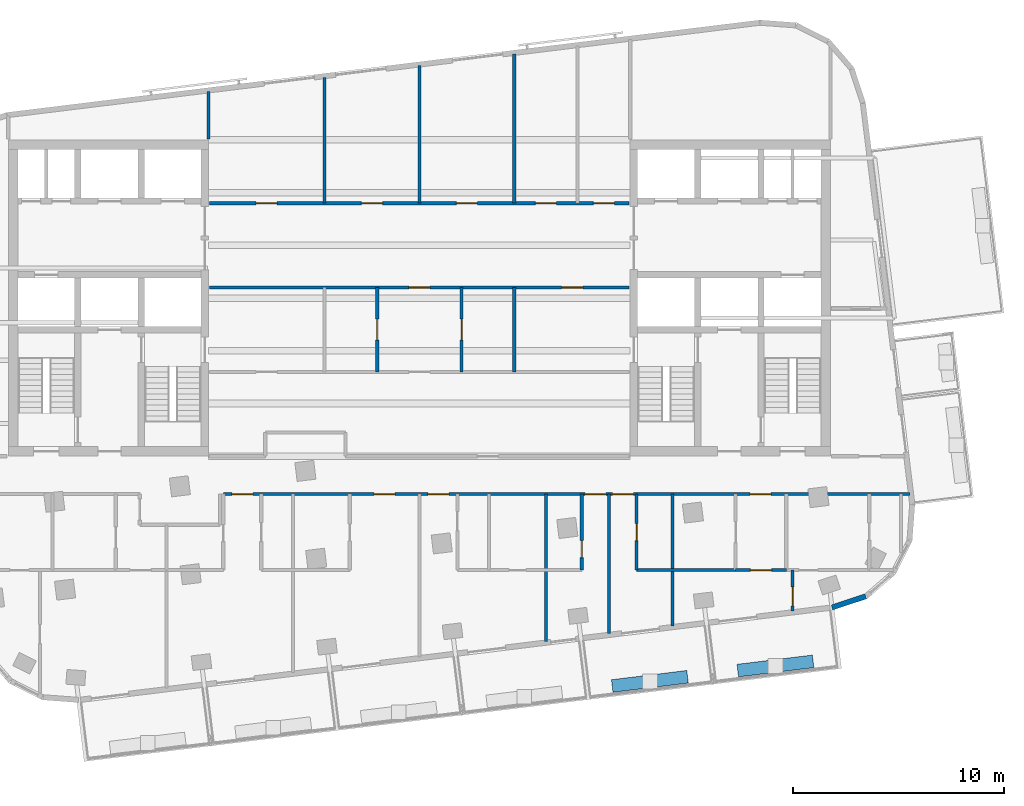
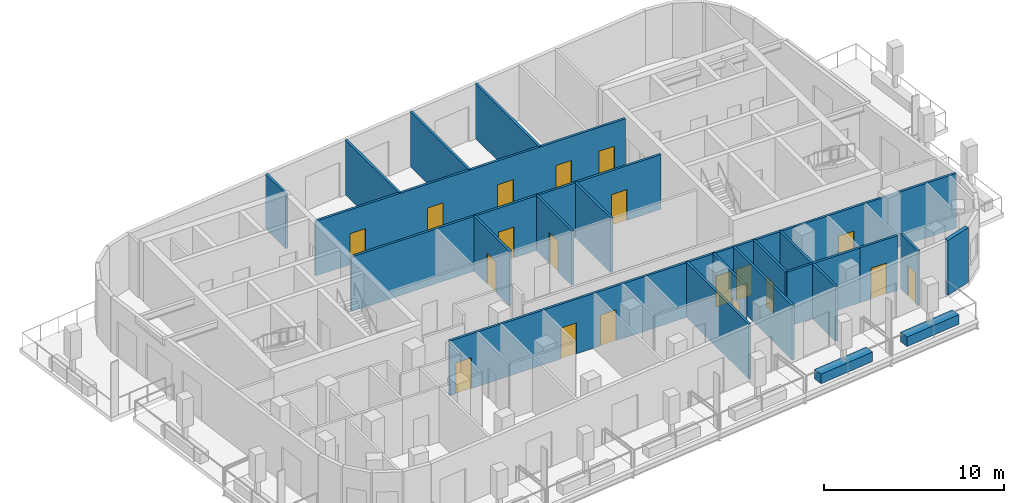
# One storey, part 5 of 11: 21 walls, 19 doors, 19 openings.
"""IFC4 building model written with IfcOpenShell, lengths in metres."""

from ifc_helpers import new_model, si_unit, direction, frame, frame_2d, origin, place, context, subcontext, project, spatial, rectangle, extrude, material, layer, layer_set, type_object, element, fill, save


model = new_model("IFC4")

# Units and contexts
model_context = context("Model", 3, precision=1e-05, world=origin(), true_north=direction((0.0, 1.0)))
body_context = subcontext(model_context, "Body", "Model", "MODEL_VIEW")
ifc_project = project(units=[si_unit("LENGTHUNIT", "METRE"), si_unit("AREAUNIT", "SQUARE_METRE"), si_unit("VOLUMEUNIT", "CUBIC_METRE"), si_unit("PLANEANGLEUNIT", "RADIAN"), si_unit("MASSUNIT", "GRAM", prefix="KILO")], contexts=[model_context])

# Site, building, storey
site_placement = place(None, origin())
site = spatial("IfcSite", under=ifc_project, at=site_placement, CompositionType="ELEMENT")
building_placement = place(site_placement, origin())
building = spatial("IfcBuilding", under=site, at=building_placement, Name="Torana Hotel and Residences", CompositionType="ELEMENT")
storey_placement = place(building_placement, frame((0.0, 0.0, 330.60009765625)))
storey = spatial("IfcBuildingStorey", under=building, at=storey_placement, Name="L87", CompositionType="ELEMENT", Elevation=330.60009765625)

# Wall
ifc_material_1 = material(Name="Black aluminium composite panel", Category="aluminium")
ifc_layer_1 = layer(ifc_material_1, 0.00390625, Name="Cladding", Category="cladding")
ifc_material_2 = material(Name="Ventilated air cavity")
ifc_layer_2 = layer(ifc_material_2, 0.0400390625, Name="Ventilated cavity", Category="cavity")
ifc_material_3 = material(Name="Mineral wool insulation")
ifc_layer_3 = layer(ifc_material_3, 0.090087890625, Name="Insulation", Category="insulation")
ifc_material_4 = material(Name="Steel S280GD", Category="steel")
ifc_layer_4 = layer(ifc_material_4, 0.092041015625, Name="Steel stud frame", Category="structure")
ifc_material_5 = material(Name="Fire rated plasterboard")
ifc_layer_5 = layer(ifc_material_5, 0.011962890625, Name="Inner board", Category="finish")
ifc_layer_6 = layer(ifc_material_5, 0.011962890625, Name="Second board", Category="finish")
ifc_layer_set_1 = layer_set([ifc_layer_1, ifc_layer_2, ifc_layer_3, ifc_layer_4, ifc_layer_5, ifc_layer_6], Name="EW1 EXTERNAL WALL BLACK METAL CLAD 250")
wall_type_1 = type_object("IfcWallType", Name="EW1 EXTERNAL WALL BLACK METAL CLAD 250", PredefinedType="SOLIDWALL", material=ifc_layer_set_1)
wall_1_placement = place(storey_placement, frame((19.568359375, -22.1748046875, 0.0), z_axis=(0.0, 0.0, 1.0), x_axis=(0.949694735798, 0.313177120489, 0.0)))
element("IfcWall", 1, at=wall_1_placement, inside=storey, type_object=wall_type_1, Name="External wall L87 e0.15", PredefinedType="SOLIDWALL", context=body_context, shape_type="SweptSolid", body=[
    extrude(rectangle(XDim=1.681396484375, YDim=0.25, at=frame_2d((0.8408203125, 0.0))), origin(), (0.0, 0.0, 1.0), 3.719970703125),
])

# Wall, opening, door
ifc_material_6 = material(Name="Gypsum plaster")
ifc_layer_7 = layer(ifc_material_6, 0.014892578125, Name="Plaster", Category="finish")
ifc_material_7 = material(Name="Concrete blockwork", Category="masonry")
ifc_layer_8 = layer(ifc_material_7, 0.1201171875, Name="Blockwork", Category="structure")
ifc_layer_9 = layer(ifc_material_6, 0.014892578125, Name="Plaster", Category="finish")
ifc_layer_set_2 = layer_set([ifc_layer_7, ifc_layer_8, ifc_layer_9], Name="FIRE PARTITION 150 BLOCKWORK")
wall_type_2 = type_object("IfcWallType", Name="FIRE PARTITION 150 BLOCKWORK", PredefinedType="PARTITIONING", material=ifc_layer_set_2)
wall_2_placement = place(storey_placement, frame((2.0, -11.0, 0.0), z_axis=(0.0, 0.0, 1.0), x_axis=(0.0, 1.0, 0.0)))
wall_2 = element("IfcWall", 2, at=wall_2_placement, inside=storey, type_object=wall_type_2, Name="Partition L87", PredefinedType="PARTITIONING", context=body_context, shape_type="SweptSolid", body=[
    extrude(rectangle(XDim=4.0, YDim=0.14990234375, at=frame_2d((2.0, 0.0))), origin(), (0.0, 0.0, 1.0), 3.719970703125),
])
opening_1_placement = place(wall_2_placement, frame((1.5, 0.0, 0.0)))
opening_1 = element("IfcOpeningElement", 3, at=opening_1_placement, cuts=wall_2, Name="Opening L87-39", PredefinedType="OPENING", context=body_context, shape_type="SweptSolid", body=[
    extrude(rectangle(XDim=1.0, YDim=2.10009765625, at=frame_2d((0.5, 1.050048828125))), frame((0.0, 0.0849609375, 0.0), z_axis=(0.0, -1.0, 0.0), x_axis=(1.0, 0.0, 0.0)), (0.0, 0.0, 1.0), 0.169921875),
])
ifc_material_8 = material(Name="Steel S235", Category="steel")
door_type_1 = type_object("IfcDoorType", Name="ENTRY FIRE DOOR D6 1000x2100", OperationType="SINGLE_SWING_LEFT", PredefinedType="DOOR", material=ifc_material_8)
door_1_placement = place(opening_1_placement, frame((0.5, 0.0, 0.0), z_axis=(0.0, 0.0, 1.0), x_axis=(-1.0, 0.0, 0.0)))
door_1 = element("IfcDoor", 4, at=door_1_placement, inside=storey, type_object=door_type_1, Name="Door L87", OperationType="SINGLE_SWING_LEFT", OverallHeight=2.10009765625, OverallWidth=1.0, PredefinedType="DOOR", context=body_context, shape_type="SweptSolid", body=[
    extrude(rectangle(XDim=1.0, YDim=2.10009765625, at=frame_2d((0.0, 1.050048828125))), frame((0.0, -0.02490234375, 0.0), z_axis=(0.0, 1.0, 0.0), x_axis=(-1.0, 0.0, 0.0)), (0.0, 0.0, 1.0), 0.050048828125),
])
fill(opening_1, door_1)

wall_3_placement = place(storey_placement, frame((-2.0, -11.0, 0.0), z_axis=(0.0, 0.0, 1.0), x_axis=(0.0, 1.0, 0.0)))
wall_3 = element("IfcWall", 5, at=wall_3_placement, inside=storey, type_object=wall_type_2, Name="Partition L87", PredefinedType="PARTITIONING", context=body_context, shape_type="SweptSolid", body=[
    extrude(rectangle(XDim=4.0, YDim=0.14990234375, at=frame_2d((2.0, 0.0))), origin(), (0.0, 0.0, 1.0), 3.719970703125),
])
opening_2_placement = place(wall_3_placement, frame((1.5, 0.0, 0.0)))
opening_2 = element("IfcOpeningElement", 6, at=opening_2_placement, cuts=wall_3, Name="Opening L87-38", PredefinedType="OPENING", context=body_context, shape_type="SweptSolid", body=[
    extrude(rectangle(XDim=1.0, YDim=2.10009765625, at=frame_2d((0.5, 1.050048828125))), frame((0.0, 0.0849609375, 0.0), z_axis=(0.0, -1.0, 0.0), x_axis=(1.0, 0.0, 0.0)), (0.0, 0.0, 1.0), 0.169921875),
])
door_2_placement = place(opening_2_placement, origin())
door_2 = element("IfcDoor", 7, at=door_2_placement, inside=storey, type_object=door_type_1, Name="Door L87", OperationType="SINGLE_SWING_RIGHT", OverallHeight=2.10009765625, OverallWidth=1.0, PredefinedType="DOOR", context=body_context, shape_type="SweptSolid", body=[
    extrude(rectangle(XDim=1.0, YDim=2.10009765625, at=frame_2d((0.5, 1.050048828125))), frame((0.0, 0.02490234375, 0.0), z_axis=(0.0, -1.0, 0.0), x_axis=(1.0, 0.0, 0.0)), (0.0, 0.0, 1.0), 0.050048828125),
])
fill(opening_2, door_2)

wall_4_placement = place(storey_placement, frame((15.0, -20.39990234375, 0.0), z_axis=(0.0, 0.0, 1.0), x_axis=(1.0, 0.0, 0.0)))
wall_4 = element("IfcWall", 8, at=wall_4_placement, inside=storey, type_object=wall_type_2, Name="Partition L87", PredefinedType="PARTITIONING", context=body_context, shape_type="SweptSolid", body=[
    extrude(rectangle(XDim=2.39990234375, YDim=0.14990234375, at=frame_2d((1.199951171875, 0.0))), origin(), (0.0, 0.0, 1.0), 3.719970703125),
])
opening_3_placement = place(wall_4_placement, frame((0.699951171875, 0.0, 0.0)))
opening_3 = element("IfcOpeningElement", 9, at=opening_3_placement, cuts=wall_4, Name="Opening L87-53", PredefinedType="OPENING", context=body_context, shape_type="SweptSolid", body=[
    extrude(rectangle(XDim=1.0, YDim=2.10009765625, at=frame_2d((0.5, 1.050048828125))), frame((0.0, 0.0849609375, 0.0), z_axis=(0.0, -1.0, 0.0), x_axis=(1.0, 0.0, 0.0)), (0.0, 0.0, 1.0), 0.169921875),
])
door_3_placement = place(opening_3_placement, frame((0.5, 0.0, 0.0), z_axis=(0.0, 0.0, 1.0), x_axis=(-1.0, 0.0, 0.0)))
door_3 = element("IfcDoor", 10, at=door_3_placement, inside=storey, type_object=door_type_1, Name="Door L87", OperationType="SINGLE_SWING_RIGHT", OverallHeight=2.10009765625, OverallWidth=1.0, PredefinedType="DOOR", context=body_context, shape_type="SweptSolid", body=[
    extrude(rectangle(XDim=1.0, YDim=2.10009765625, at=frame_2d((0.0, 1.050048828125))), frame((0.0, -0.02490234375, 0.0), z_axis=(0.0, 1.0, 0.0), x_axis=(-1.0, 0.0, 0.0)), (0.0, 0.0, 1.0), 0.050048828125),
])
fill(opening_3, door_3)

# Wall, openings, doors
wall_5_placement = place(storey_placement, frame((-9.300048828125, -16.800048828125, 0.0), z_axis=(0.0, 0.0, 1.0), x_axis=(1.0, 0.0, 0.0)))
wall_5 = element("IfcWall", 11, at=wall_5_placement, inside=storey, type_object=wall_type_2, Name="Partition L87", PredefinedType="PARTITIONING", context=body_context, shape_type="SweptSolid", body=[
    extrude(rectangle(XDim=32.56103515625, YDim=0.14990234375, at=frame_2d((16.280517578125, 0.0))), origin(), (0.0, 0.0, 1.0), 3.719970703125),
])
opening_4_placement = place(wall_5_placement, frame((0.39990234375, 0.0, 0.0)))
opening_4 = element("IfcOpeningElement", 12, at=opening_4_placement, cuts=wall_5, Name="Opening L87-20", PredefinedType="OPENING", context=body_context, shape_type="SweptSolid", body=[
    extrude(rectangle(XDim=1.0, YDim=2.10009765625, at=frame_2d((0.5, 1.050048828125))), frame((0.0, 0.0849609375, 0.0), z_axis=(0.0, -1.0, 0.0), x_axis=(1.0, 0.0, 0.0)), (0.0, 0.0, 1.0), 0.169921875),
])
opening_5_placement = place(wall_5_placement, frame((7.14990234375, 0.0, 0.0)))
opening_5 = element("IfcOpeningElement", 13, at=opening_5_placement, cuts=wall_5, Name="Opening L87-21", PredefinedType="OPENING", context=body_context, shape_type="SweptSolid", body=[
    extrude(rectangle(XDim=1.0, YDim=2.10009765625, at=frame_2d((0.5, 1.050048828125))), frame((0.0, 0.0849609375, 0.0), z_axis=(0.0, -1.0, 0.0), x_axis=(1.0, 0.0, 0.0)), (0.0, 0.0, 1.0), 0.169921875),
])
opening_6_placement = place(wall_5_placement, frame((9.699951171875, 0.0, 0.0)))
opening_6 = element("IfcOpeningElement", 14, at=opening_6_placement, cuts=wall_5, Name="Opening L87-22", PredefinedType="OPENING", context=body_context, shape_type="SweptSolid", body=[
    extrude(rectangle(XDim=1.0, YDim=2.10009765625, at=frame_2d((0.5, 1.050048828125))), frame((0.0, 0.0849609375, 0.0), z_axis=(0.0, -1.0, 0.0), x_axis=(1.0, 0.0, 0.0)), (0.0, 0.0, 1.0), 0.169921875),
])
opening_7_placement = place(wall_5_placement, frame((17.14892578125, 0.0, 0.0)))
opening_7 = element("IfcOpeningElement", 15, at=opening_7_placement, cuts=wall_5, Name="Opening L87-23", PredefinedType="OPENING", context=body_context, shape_type="SweptSolid", body=[
    extrude(rectangle(XDim=1.0, YDim=2.10009765625, at=frame_2d((0.5, 1.050048828125))), frame((0.0, 0.0849609375, 0.0), z_axis=(0.0, -1.0, 0.0), x_axis=(1.0, 0.0, 0.0)), (0.0, 0.0, 1.0), 0.169921875),
])
opening_8_placement = place(wall_5_placement, frame((18.449951171875, 0.0, 0.0)))
opening_8 = element("IfcOpeningElement", 16, at=opening_8_placement, cuts=wall_5, Name="Opening L87-24", PredefinedType="OPENING", context=body_context, shape_type="SweptSolid", body=[
    extrude(rectangle(XDim=1.0, YDim=2.10009765625, at=frame_2d((0.5, 1.050048828125))), frame((0.0, 0.0849609375, 0.0), z_axis=(0.0, -1.0, 0.0), x_axis=(1.0, 0.0, 0.0)), (0.0, 0.0, 1.0), 0.169921875),
])
opening_9_placement = place(wall_5_placement, frame((24.97998046875, 0.0, 0.0)))
opening_9 = element("IfcOpeningElement", 17, at=opening_9_placement, cuts=wall_5, Name="Opening L87-26", PredefinedType="OPENING", context=body_context, shape_type="SweptSolid", body=[
    extrude(rectangle(XDim=1.0, YDim=2.10009765625, at=frame_2d((0.5, 1.050048828125))), frame((0.0, 0.0849609375, 0.0), z_axis=(0.0, -1.0, 0.0), x_axis=(1.0, 0.0, 0.0)), (0.0, 0.0, 1.0), 0.169921875),
])
door_4_placement = place(opening_4_placement, frame((0.5, 0.0, 0.0), z_axis=(0.0, 0.0, 1.0), x_axis=(-1.0, 0.0, 0.0)))
door_4 = element("IfcDoor", 18, at=door_4_placement, inside=storey, type_object=door_type_1, Name="Door L87", OperationType="SINGLE_SWING_LEFT", OverallHeight=2.10009765625, OverallWidth=1.0, PredefinedType="DOOR", context=body_context, shape_type="SweptSolid", body=[
    extrude(rectangle(XDim=1.0, YDim=2.10009765625, at=frame_2d((0.0, 1.050048828125))), frame((0.0, -0.02490234375, 0.0), z_axis=(0.0, 1.0, 0.0), x_axis=(-1.0, 0.0, 0.0)), (0.0, 0.0, 1.0), 0.050048828125),
])
fill(opening_4, door_4)
door_5_placement = place(opening_5_placement, frame((0.5, 0.0, 0.0), z_axis=(0.0, 0.0, 1.0), x_axis=(-1.0, 0.0, 0.0)))
door_5 = element("IfcDoor", 19, at=door_5_placement, inside=storey, type_object=door_type_1, Name="Door L87", OperationType="SINGLE_SWING_LEFT", OverallHeight=2.10009765625, OverallWidth=1.0, PredefinedType="DOOR", context=body_context, shape_type="SweptSolid", body=[
    extrude(rectangle(XDim=1.0, YDim=2.10009765625, at=frame_2d((0.0, 1.050048828125))), frame((0.0, -0.02490234375, 0.0), z_axis=(0.0, 1.0, 0.0), x_axis=(-1.0, 0.0, 0.0)), (0.0, 0.0, 1.0), 0.050048828125),
])
fill(opening_5, door_5)
door_6_placement = place(opening_6_placement, frame((0.5, 0.0, 0.0), z_axis=(0.0, 0.0, 1.0), x_axis=(-1.0, 0.0, 0.0)))
door_6 = element("IfcDoor", 20, at=door_6_placement, inside=storey, type_object=door_type_1, Name="Door L87", OperationType="SINGLE_SWING_LEFT", OverallHeight=2.10009765625, OverallWidth=1.0, PredefinedType="DOOR", context=body_context, shape_type="SweptSolid", body=[
    extrude(rectangle(XDim=1.0, YDim=2.10009765625, at=frame_2d((0.0, 1.050048828125))), frame((0.0, -0.02490234375, 0.0), z_axis=(0.0, 1.0, 0.0), x_axis=(-1.0, 0.0, 0.0)), (0.0, 0.0, 1.0), 0.050048828125),
])
fill(opening_6, door_6)
door_7_placement = place(opening_7_placement, frame((0.5, 0.0, 0.0), z_axis=(0.0, 0.0, 1.0), x_axis=(-1.0, 0.0, 0.0)))
door_7 = element("IfcDoor", 21, at=door_7_placement, inside=storey, type_object=door_type_1, Name="Door L87", OperationType="SINGLE_SWING_LEFT", OverallHeight=2.10009765625, OverallWidth=1.0, PredefinedType="DOOR", context=body_context, shape_type="SweptSolid", body=[
    extrude(rectangle(XDim=1.0, YDim=2.10009765625, at=frame_2d((0.0, 1.050048828125))), frame((0.0, -0.02490234375, 0.0), z_axis=(0.0, 1.0, 0.0), x_axis=(-1.0, 0.0, 0.0)), (0.0, 0.0, 1.0), 0.050048828125),
])
fill(opening_7, door_7)
door_8_placement = place(opening_8_placement, frame((0.5, 0.0, 0.0), z_axis=(0.0, 0.0, 1.0), x_axis=(-1.0, 0.0, 0.0)))
door_8 = element("IfcDoor", 22, at=door_8_placement, inside=storey, type_object=door_type_1, Name="Door L87", OperationType="SINGLE_SWING_LEFT", OverallHeight=2.10009765625, OverallWidth=1.0, PredefinedType="DOOR", context=body_context, shape_type="SweptSolid", body=[
    extrude(rectangle(XDim=1.0, YDim=2.10009765625, at=frame_2d((0.0, 1.050048828125))), frame((0.0, -0.02490234375, 0.0), z_axis=(0.0, 1.0, 0.0), x_axis=(-1.0, 0.0, 0.0)), (0.0, 0.0, 1.0), 0.050048828125),
])
fill(opening_8, door_8)
door_9_placement = place(opening_9_placement, origin())
door_9 = element("IfcDoor", 23, at=door_9_placement, inside=storey, type_object=door_type_1, Name="Door L87", OperationType="SINGLE_SWING_RIGHT", OverallHeight=2.10009765625, OverallWidth=1.0, PredefinedType="DOOR", context=body_context, shape_type="SweptSolid", body=[
    extrude(rectangle(XDim=1.0, YDim=2.10009765625, at=frame_2d((0.5, 1.050048828125))), frame((0.0, 0.02490234375, 0.0), z_axis=(0.0, -1.0, 0.0), x_axis=(1.0, 0.0, 0.0)), (0.0, 0.0, 1.0), 0.050048828125),
])
fill(opening_9, door_9)

wall_6_placement = place(storey_placement, frame((-9.949951171875, -7.0, 0.0), z_axis=(0.0, 0.0, 1.0), x_axis=(1.0, 0.0, 0.0)))
wall_6 = element("IfcWall", 24, at=wall_6_placement, inside=storey, type_object=wall_type_2, Name="Partition L87", PredefinedType="PARTITIONING", context=body_context, shape_type="SweptSolid", body=[
    extrude(rectangle(XDim=19.89990234375, YDim=0.14990234375, at=frame_2d((9.949951171875, 0.0))), origin(), (0.0, 0.0, 1.0), 3.719970703125),
])
opening_10_placement = place(wall_6_placement, frame((9.449951171875, 0.0, 0.0)))
opening_10 = element("IfcOpeningElement", 25, at=opening_10_placement, cuts=wall_6, Name="Opening L87-31", PredefinedType="OPENING", context=body_context, shape_type="SweptSolid", body=[
    extrude(rectangle(XDim=1.0, YDim=2.10009765625, at=frame_2d((0.5, 1.050048828125))), frame((0.0, 0.0849609375, 0.0), z_axis=(0.0, -1.0, 0.0), x_axis=(1.0, 0.0, 0.0)), (0.0, 0.0, 1.0), 0.169921875),
])
opening_11_placement = place(wall_6_placement, frame((16.699951171875, 0.0, 0.0)))
opening_11 = element("IfcOpeningElement", 26, at=opening_11_placement, cuts=wall_6, Name="Opening L87-32", PredefinedType="OPENING", context=body_context, shape_type="SweptSolid", body=[
    extrude(rectangle(XDim=1.0, YDim=2.10009765625, at=frame_2d((0.5, 1.050048828125))), frame((0.0, 0.0849609375, 0.0), z_axis=(0.0, -1.0, 0.0), x_axis=(1.0, 0.0, 0.0)), (0.0, 0.0, 1.0), 0.169921875),
])
door_10_placement = place(opening_10_placement, origin())
door_10 = element("IfcDoor", 27, at=door_10_placement, inside=storey, type_object=door_type_1, Name="Door L87", OperationType="SINGLE_SWING_RIGHT", OverallHeight=2.10009765625, OverallWidth=1.0, PredefinedType="DOOR", context=body_context, shape_type="SweptSolid", body=[
    extrude(rectangle(XDim=1.0, YDim=2.10009765625, at=frame_2d((0.5, 1.050048828125))), frame((0.0, 0.02490234375, 0.0), z_axis=(0.0, -1.0, 0.0), x_axis=(1.0, 0.0, 0.0)), (0.0, 0.0, 1.0), 0.050048828125),
])
fill(opening_10, door_10)
door_11_placement = place(opening_11_placement, frame((0.5, 0.0, 0.0), z_axis=(0.0, 0.0, 1.0), x_axis=(-1.0, 0.0, 0.0)))
door_11 = element("IfcDoor", 28, at=door_11_placement, inside=storey, type_object=door_type_1, Name="Door L87", OperationType="SINGLE_SWING_LEFT", OverallHeight=2.10009765625, OverallWidth=1.0, PredefinedType="DOOR", context=body_context, shape_type="SweptSolid", body=[
    extrude(rectangle(XDim=1.0, YDim=2.10009765625, at=frame_2d((0.0, 1.050048828125))), frame((0.0, -0.02490234375, 0.0), z_axis=(0.0, 1.0, 0.0), x_axis=(-1.0, 0.0, 0.0)), (0.0, 0.0, 1.0), 0.050048828125),
])
fill(opening_11, door_11)

wall_7_placement = place(storey_placement, frame((-9.949951171875, -3.0, 0.0), z_axis=(0.0, 0.0, 1.0), x_axis=(1.0, 0.0, 0.0)))
wall_7 = element("IfcWall", 29, at=wall_7_placement, inside=storey, type_object=wall_type_2, Name="Partition L87", PredefinedType="PARTITIONING", context=body_context, shape_type="SweptSolid", body=[
    extrude(rectangle(XDim=19.89990234375, YDim=0.14990234375, at=frame_2d((9.949951171875, 0.0))), origin(), (0.0, 0.0, 1.0), 3.719970703125),
])
opening_12_placement = place(wall_7_placement, frame((2.199951171875, 0.0, 0.0)))
opening_12 = element("IfcOpeningElement", 30, at=opening_12_placement, cuts=wall_7, Name="Opening L87-33", PredefinedType="OPENING", context=body_context, shape_type="SweptSolid", body=[
    extrude(rectangle(XDim=1.0, YDim=2.10009765625, at=frame_2d((0.5, 1.050048828125))), frame((0.0, 0.0849609375, 0.0), z_axis=(0.0, -1.0, 0.0), x_axis=(1.0, 0.0, 0.0)), (0.0, 0.0, 1.0), 0.169921875),
])
opening_13_placement = place(wall_7_placement, frame((7.199951171875, 0.0, 0.0)))
opening_13 = element("IfcOpeningElement", 31, at=opening_13_placement, cuts=wall_7, Name="Opening L87-34", PredefinedType="OPENING", context=body_context, shape_type="SweptSolid", body=[
    extrude(rectangle(XDim=1.0, YDim=2.10009765625, at=frame_2d((0.5, 1.050048828125))), frame((0.0, 0.0849609375, 0.0), z_axis=(0.0, -1.0, 0.0), x_axis=(1.0, 0.0, 0.0)), (0.0, 0.0, 1.0), 0.169921875),
])
opening_14_placement = place(wall_7_placement, frame((11.699951171875, 0.0, 0.0)))
opening_14 = element("IfcOpeningElement", 32, at=opening_14_placement, cuts=wall_7, Name="Opening L87-35", PredefinedType="OPENING", context=body_context, shape_type="SweptSolid", body=[
    extrude(rectangle(XDim=1.0, YDim=2.10009765625, at=frame_2d((0.5, 1.050048828125))), frame((0.0, 0.0849609375, 0.0), z_axis=(0.0, -1.0, 0.0), x_axis=(1.0, 0.0, 0.0)), (0.0, 0.0, 1.0), 0.169921875),
])
opening_15_placement = place(wall_7_placement, frame((15.449951171875, 0.0, 0.0)))
opening_15 = element("IfcOpeningElement", 33, at=opening_15_placement, cuts=wall_7, Name="Opening L87-36", PredefinedType="OPENING", context=body_context, shape_type="SweptSolid", body=[
    extrude(rectangle(XDim=1.0, YDim=2.10009765625, at=frame_2d((0.5, 1.050048828125))), frame((0.0, 0.0849609375, 0.0), z_axis=(0.0, -1.0, 0.0), x_axis=(1.0, 0.0, 0.0)), (0.0, 0.0, 1.0), 0.169921875),
])
opening_16_placement = place(wall_7_placement, frame((18.199951171875, 0.0, 0.0)))
opening_16 = element("IfcOpeningElement", 34, at=opening_16_placement, cuts=wall_7, Name="Opening L87-37", PredefinedType="OPENING", context=body_context, shape_type="SweptSolid", body=[
    extrude(rectangle(XDim=1.0, YDim=2.10009765625, at=frame_2d((0.5, 1.050048828125))), frame((0.0, 0.0849609375, 0.0), z_axis=(0.0, -1.0, 0.0), x_axis=(1.0, 0.0, 0.0)), (0.0, 0.0, 1.0), 0.169921875),
])
door_12_placement = place(opening_12_placement, origin())
door_12 = element("IfcDoor", 35, at=door_12_placement, inside=storey, type_object=door_type_1, Name="Door L87", OperationType="SINGLE_SWING_RIGHT", OverallHeight=2.10009765625, OverallWidth=1.0, PredefinedType="DOOR", context=body_context, shape_type="SweptSolid", body=[
    extrude(rectangle(XDim=1.0, YDim=2.10009765625, at=frame_2d((0.5, 1.050048828125))), frame((0.0, 0.02490234375, 0.0), z_axis=(0.0, -1.0, 0.0), x_axis=(1.0, 0.0, 0.0)), (0.0, 0.0, 1.0), 0.050048828125),
])
fill(opening_12, door_12)
door_13_placement = place(opening_13_placement, origin())
door_13 = element("IfcDoor", 36, at=door_13_placement, inside=storey, type_object=door_type_1, Name="Door L87", OperationType="SINGLE_SWING_RIGHT", OverallHeight=2.10009765625, OverallWidth=1.0, PredefinedType="DOOR", context=body_context, shape_type="SweptSolid", body=[
    extrude(rectangle(XDim=1.0, YDim=2.10009765625, at=frame_2d((0.5, 1.050048828125))), frame((0.0, 0.02490234375, 0.0), z_axis=(0.0, -1.0, 0.0), x_axis=(1.0, 0.0, 0.0)), (0.0, 0.0, 1.0), 0.050048828125),
])
fill(opening_13, door_13)
door_14_placement = place(opening_14_placement, origin())
door_14 = element("IfcDoor", 37, at=door_14_placement, inside=storey, type_object=door_type_1, Name="Door L87", OperationType="SINGLE_SWING_RIGHT", OverallHeight=2.10009765625, OverallWidth=1.0, PredefinedType="DOOR", context=body_context, shape_type="SweptSolid", body=[
    extrude(rectangle(XDim=1.0, YDim=2.10009765625, at=frame_2d((0.5, 1.050048828125))), frame((0.0, 0.02490234375, 0.0), z_axis=(0.0, -1.0, 0.0), x_axis=(1.0, 0.0, 0.0)), (0.0, 0.0, 1.0), 0.050048828125),
])
fill(opening_14, door_14)
door_15_placement = place(opening_15_placement, origin())
door_15 = element("IfcDoor", 38, at=door_15_placement, inside=storey, type_object=door_type_1, Name="Door L87", OperationType="SINGLE_SWING_RIGHT", OverallHeight=2.10009765625, OverallWidth=1.0, PredefinedType="DOOR", context=body_context, shape_type="SweptSolid", body=[
    extrude(rectangle(XDim=1.0, YDim=2.10009765625, at=frame_2d((0.5, 1.050048828125))), frame((0.0, 0.02490234375, 0.0), z_axis=(0.0, -1.0, 0.0), x_axis=(1.0, 0.0, 0.0)), (0.0, 0.0, 1.0), 0.050048828125),
])
fill(opening_15, door_15)
door_16_placement = place(opening_16_placement, origin())
door_16 = element("IfcDoor", 39, at=door_16_placement, inside=storey, type_object=door_type_1, Name="Door L87", OperationType="SINGLE_SWING_RIGHT", OverallHeight=2.10009765625, OverallWidth=1.0, PredefinedType="DOOR", context=body_context, shape_type="SweptSolid", body=[
    extrude(rectangle(XDim=1.0, YDim=2.10009765625, at=frame_2d((0.5, 1.050048828125))), frame((0.0, 0.02490234375, 0.0), z_axis=(0.0, -1.0, 0.0), x_axis=(1.0, 0.0, 0.0)), (0.0, 0.0, 1.0), 0.050048828125),
])
fill(opening_16, door_16)

# Wall, opening, door
ifc_material_9 = material(Name="Gypsum plasterboard")
ifc_layer_10 = layer(ifc_material_9, 0.012451171875, Name="Plasterboard", Category="finish")
ifc_layer_11 = layer(ifc_material_9, 0.012451171875, Name="Plasterboard", Category="finish")
ifc_layer_12 = layer(ifc_material_4, 0.10009765625, Name="Steel studs with mineral wool", Category="insulation")
ifc_layer_13 = layer(ifc_material_9, 0.012451171875, Name="Plasterboard", Category="finish")
ifc_layer_14 = layer(ifc_material_9, 0.012451171875, Name="Plasterboard", Category="finish")
ifc_layer_set_3 = layer_set([ifc_layer_10, ifc_layer_11, ifc_layer_12, ifc_layer_13, ifc_layer_14], Name="PARTITION 150 PLASTERBOARD")
wall_type_3 = type_object("IfcWallType", Name="PARTITION 150 PLASTERBOARD", PredefinedType="PARTITIONING", material=ifc_layer_set_3)
wall_8_placement = place(storey_placement, frame((17.699951171875, -22.351318359375, 0.0), z_axis=(0.0, 0.0, 1.0), x_axis=(0.0, 1.0, 0.0)))
wall_8 = element("IfcWall", 40, at=wall_8_placement, inside=storey, type_object=wall_type_3, Name="Partition L87", PredefinedType="PARTITIONING", context=body_context, shape_type="SweptSolid", body=[
    extrude(rectangle(XDim=1.951416015625, YDim=0.14990234375, at=frame_2d((0.9755859375, 0.0))), origin(), (0.0, 0.0, 1.0), 3.719970703125),
])
opening_17_placement = place(wall_8_placement, frame((0.25, 0.0, 0.0)))
opening_17 = element("IfcOpeningElement", 41, at=opening_17_placement, cuts=wall_8, Name="Opening L87-56", PredefinedType="OPENING", context=body_context, shape_type="SweptSolid", body=[
    extrude(rectangle(XDim=0.89990234375, YDim=2.10009765625, at=frame_2d((0.449951171875, 1.050048828125))), frame((0.0, 0.0849609375, 0.0), z_axis=(0.0, -1.0, 0.0), x_axis=(1.0, 0.0, 0.0)), (0.0, 0.0, 1.0), 0.169921875),
])
ifc_material_10 = material(Name="Timber door, oiled ash", Category="wood")
door_type_2 = type_object("IfcDoorType", Name="ROOM DOOR D7 900x2100", OperationType="SINGLE_SWING_LEFT", PredefinedType="DOOR", material=ifc_material_10)
door_17_placement = place(opening_17_placement, origin())
door_17 = element("IfcDoor", 42, at=door_17_placement, inside=storey, type_object=door_type_2, Name="Door L87", OperationType="SINGLE_SWING_RIGHT", OverallHeight=2.10009765625, OverallWidth=0.89990234375, PredefinedType="DOOR", context=body_context, shape_type="SweptSolid", body=[
    extrude(rectangle(XDim=0.89990234375, YDim=2.10009765625, at=frame_2d((0.449951171875, 1.050048828125))), frame((0.0, 0.02490234375, 0.0), z_axis=(0.0, -1.0, 0.0), x_axis=(1.0, 0.0, 0.0)), (0.0, 0.0, 1.0), 0.050048828125),
])
fill(opening_17, door_17)

# Wall
wall_9_placement = place(storey_placement, frame((12.0, -23.051025390625, 0.0), z_axis=(0.0, 0.0, 1.0), x_axis=(0.0, 1.0, 0.0)))
element("IfcWall", 43, at=wall_9_placement, inside=storey, type_object=wall_type_3, Name="Partition L87", PredefinedType="PARTITIONING", context=body_context, shape_type="SweptSolid", body=[
    extrude(rectangle(XDim=6.2509765625, YDim=0.14990234375, at=frame_2d((3.12548828125, 0.0))), origin(), (0.0, 0.0, 1.0), 3.719970703125),
])

# Wall, opening, door
wall_10_placement = place(storey_placement, frame((10.300048828125, -20.39990234375, 0.0), z_axis=(0.0, 0.0, 1.0), x_axis=(0.0, 1.0, 0.0)))
wall_10 = element("IfcWall", 44, at=wall_10_placement, inside=storey, type_object=wall_type_3, Name="Partition L87", PredefinedType="PARTITIONING", context=body_context, shape_type="SweptSolid", body=[
    extrude(rectangle(XDim=3.599853515625, YDim=0.14990234375, at=frame_2d((1.7998046875, 0.0))), origin(), (0.0, 0.0, 1.0), 3.719970703125),
])
opening_18_placement = place(wall_10_placement, frame((1.39990234375, 0.0, 0.0)))
opening_18 = element("IfcOpeningElement", 45, at=opening_18_placement, cuts=wall_10, Name="Opening L87-46", PredefinedType="OPENING", context=body_context, shape_type="SweptSolid", body=[
    extrude(rectangle(XDim=0.800048828125, YDim=2.10009765625, at=frame_2d((0.39990234375, 1.050048828125))), frame((0.0, 0.0849609375, 0.0), z_axis=(0.0, -1.0, 0.0), x_axis=(1.0, 0.0, 0.0)), (0.0, 0.0, 1.0), 0.169921875),
])
ifc_material_11 = material(Name="Timber door, painted", Category="wood")
door_type_3 = type_object("IfcDoorType", Name="BATH DOOR D13 800x2100", OperationType="SINGLE_SWING_LEFT", PredefinedType="DOOR", material=ifc_material_11)
door_18_placement = place(opening_18_placement, origin())
door_18 = element("IfcDoor", 46, at=door_18_placement, inside=storey, type_object=door_type_3, Name="Door L87", OperationType="SINGLE_SWING_LEFT", OverallHeight=2.10009765625, OverallWidth=0.800048828125, PredefinedType="DOOR", context=body_context, shape_type="SweptSolid", body=[
    extrude(rectangle(XDim=0.800048828125, YDim=2.10009765625, at=frame_2d((0.39990234375, 1.050048828125))), frame((0.0, 0.02490234375, 0.0), z_axis=(0.0, -1.0, 0.0), x_axis=(1.0, 0.0, 0.0)), (0.0, 0.0, 1.0), 0.050048828125),
])
fill(opening_18, door_18)

# Wall
wall_11_placement = place(storey_placement, frame((9.0, -23.41943359375, 0.0), z_axis=(0.0, 0.0, 1.0), x_axis=(0.0, 1.0, 0.0)))
element("IfcWall", 47, at=wall_11_placement, inside=storey, type_object=wall_type_3, Name="Partition L87", PredefinedType="PARTITIONING", context=body_context, shape_type="SweptSolid", body=[
    extrude(rectangle(XDim=6.619384765625, YDim=0.14990234375, at=frame_2d((3.3095703125, 0.0))), origin(), (0.0, 0.0, 1.0), 3.719970703125),
])

# Wall, opening, door
wall_12_placement = place(storey_placement, frame((7.699951171875, -20.39990234375, 0.0), z_axis=(0.0, 0.0, 1.0), x_axis=(0.0, 1.0, 0.0)))
wall_12 = element("IfcWall", 48, at=wall_12_placement, inside=storey, type_object=wall_type_3, Name="Partition L87", PredefinedType="PARTITIONING", context=body_context, shape_type="SweptSolid", body=[
    extrude(rectangle(XDim=3.599853515625, YDim=0.14990234375, at=frame_2d((1.7998046875, 0.0))), origin(), (0.0, 0.0, 1.0), 3.719970703125),
])
opening_19_placement = place(wall_12_placement, frame((0.594482421875, 0.0, 0.0)))
opening_19 = element("IfcOpeningElement", 49, at=opening_19_placement, cuts=wall_12, Name="Opening L87-45", PredefinedType="OPENING", context=body_context, shape_type="SweptSolid", body=[
    extrude(rectangle(XDim=0.800048828125, YDim=2.10009765625, at=frame_2d((0.39990234375, 1.050048828125))), frame((0.0, 0.0849609375, 0.0), z_axis=(0.0, -1.0, 0.0), x_axis=(1.0, 0.0, 0.0)), (0.0, 0.0, 1.0), 0.169921875),
])
door_19_placement = place(opening_19_placement, origin())
door_19 = element("IfcDoor", 50, at=door_19_placement, inside=storey, type_object=door_type_3, Name="Door L87", OperationType="SINGLE_SWING_LEFT", OverallHeight=2.10009765625, OverallWidth=0.800048828125, PredefinedType="DOOR", context=body_context, shape_type="SweptSolid", body=[
    extrude(rectangle(XDim=0.800048828125, YDim=2.10009765625, at=frame_2d((0.39990234375, 1.050048828125))), frame((0.0, 0.02490234375, 0.0), z_axis=(0.0, -1.0, 0.0), x_axis=(1.0, 0.0, 0.0)), (0.0, 0.0, 1.0), 0.050048828125),
])
fill(opening_19, door_19)

# Walls
wall_13_placement = place(storey_placement, frame((6.0, -23.787841796875, 0.0), z_axis=(0.0, 0.0, 1.0), x_axis=(0.0, 1.0, 0.0)))
element("IfcWall", 51, at=wall_13_placement, inside=storey, type_object=wall_type_3, Name="Partition L87", PredefinedType="PARTITIONING", context=body_context, shape_type="SweptSolid", body=[
    extrude(rectangle(XDim=6.98779296875, YDim=0.14990234375, at=frame_2d((3.493896484375, 0.0))), origin(), (0.0, 0.0, 1.0), 3.719970703125),
])
wall_14_placement = place(storey_placement, frame((4.5, -11.0, 0.0), z_axis=(0.0, 0.0, 1.0), x_axis=(0.0, 1.0, 0.0)))
element("IfcWall", 52, at=wall_14_placement, inside=storey, type_object=wall_type_3, Name="Partition L87", PredefinedType="PARTITIONING", context=body_context, shape_type="SweptSolid", body=[
    extrude(rectangle(XDim=4.0, YDim=0.14990234375, at=frame_2d((2.0, 0.0))), origin(), (0.0, 0.0, 1.0), 3.719970703125),
])
wall_15_placement = place(storey_placement, frame((0.0, -3.0, 0.0), z_axis=(0.0, 0.0, 1.0), x_axis=(0.0, 1.0, 0.0)))
element("IfcWall", 53, at=wall_15_placement, inside=storey, type_object=wall_type_3, Name="Partition L87", PredefinedType="PARTITIONING", context=body_context, shape_type="SweptSolid", body=[
    extrude(rectangle(XDim=6.5244140625, YDim=0.14990234375, at=frame_2d((3.26220703125, 0.0))), origin(), (0.0, 0.0, 1.0), 3.719970703125),
])
wall_16_placement = place(storey_placement, frame((-4.5, -3.0, 0.0), z_axis=(0.0, 0.0, 1.0), x_axis=(0.0, 1.0, 0.0)))
element("IfcWall", 54, at=wall_16_placement, inside=storey, type_object=wall_type_3, Name="Partition L87", PredefinedType="PARTITIONING", context=body_context, shape_type="SweptSolid", body=[
    extrude(rectangle(XDim=5.971923828125, YDim=0.14990234375, at=frame_2d((2.98583984375, 0.0))), origin(), (0.0, 0.0, 1.0), 3.719970703125),
])
wall_17_placement = place(storey_placement, frame((-10.0, 0.050048828125, 0.0), z_axis=(0.0, 0.0, 1.0), x_axis=(0.0, 1.0, 0.0)))
element("IfcWall", 55, at=wall_17_placement, inside=storey, type_object=wall_type_3, Name="Partition L87", PredefinedType="PARTITIONING", context=body_context, shape_type="SweptSolid", body=[
    extrude(rectangle(XDim=2.24658203125, YDim=0.14990234375, at=frame_2d((1.123291015625, 0.0))), origin(), (0.0, 0.0, 1.0), 3.719970703125),
])
wall_18_placement = place(storey_placement, frame((10.300048828125, -20.39990234375, 0.0), z_axis=(0.0, 0.0, 1.0), x_axis=(1.0, 0.0, 0.0)))
element("IfcWall", 56, at=wall_18_placement, inside=storey, type_object=wall_type_3, Name="Partition L87", PredefinedType="PARTITIONING", context=body_context, shape_type="SweptSolid", body=[
    extrude(rectangle(XDim=4.699951171875, YDim=0.14990234375, at=frame_2d((2.35009765625, 0.0))), origin(), (0.0, 0.0, 1.0), 3.719970703125),
])
ifc_material_12 = material(Name="Concrete C40/50 precast", Category="concrete")
ifc_layer_15 = layer(ifc_material_12, 0.10009765625, Name="Planter shell", Category="structure")
ifc_material_13 = material(Name="Root resistant membrane")
ifc_layer_16 = layer(ifc_material_13, 0.00390625, Name="Waterproofing membrane", Category="membrane")
ifc_material_14 = material(Name="Drainage board with filter fleece")
ifc_layer_17 = layer(ifc_material_14, 0.02001953125, Name="Drainage board", Category="drainage")
ifc_material_15 = material(Name="Growing medium")
ifc_layer_18 = layer(ifc_material_15, 0.47607421875, Name="Planting substrate", Category="soil")
ifc_layer_set_4 = layer_set([ifc_layer_15, ifc_layer_16, ifc_layer_17, ifc_layer_18], Name="PL1 BALCONY PLANTER 600")
wall_type_4 = type_object("IfcWallType", Name="PL1 BALCONY PLANTER 600", PredefinedType="USERDEFINED", material=ifc_layer_set_4)
for number, where, z_axis, x_axis, name in (
    (57, (12.718017578125, -25.461669921875, 0.0), (0.0, 0.0, 1.0), (-0.992545758265, -0.121872547154, 0.0), "Planter 05"),
    (58, (18.67333984375, -24.73046875, 0.0), (0.0, 0.0, 1.0), (-0.992545758265, -0.121872547154, 0.0), "Planter 06"),
):
    element("IfcWall", number, at=place(storey_placement, frame(where, z_axis=z_axis, x_axis=x_axis)), inside=storey, type_object=wall_type_4, Name=name, ObjectType="PLANTER", PredefinedType="USERDEFINED", context=body_context, shape_type="SweptSolid", body=[
        extrude(rectangle(XDim=3.599853515625, YDim=0.60009765625, at=frame_2d((1.7998046875, 0.0))), origin(), (0.0, 0.0, 1.0), 0.64990234375),
    ])
ifc_material_16 = material(Name="Ceramic tile on adhesive")
ifc_layer_19 = layer(ifc_material_16, 0.010009765625, Name="Wall tile", Category="finish")
ifc_material_17 = material(Name="Cement render")
ifc_layer_20 = layer(ifc_material_17, 0.010009765625, Name="Render", Category="finish")
ifc_layer_21 = layer(ifc_material_7, 0.110107421875, Name="Blockwork", Category="structure")
ifc_layer_22 = layer(ifc_material_17, 0.010009765625, Name="Render", Category="finish")
ifc_layer_23 = layer(ifc_material_16, 0.010009765625, Name="Wall tile", Category="finish")
ifc_layer_set_5 = layer_set([ifc_layer_19, ifc_layer_20, ifc_layer_21, ifc_layer_22, ifc_layer_23], Name="WC PARTITION 150")
wall_type_5 = type_object("IfcWallType", Name="WC PARTITION 150", PredefinedType="PLUMBINGWALL", material=ifc_layer_set_5)
wall_19_placement = place(storey_placement, frame((4.5, -3.0, 0.0), z_axis=(0.0, 0.0, 1.0), x_axis=(0.0, 1.0, 0.0)))
element("IfcWall", 59, at=wall_19_placement, inside=storey, type_object=wall_type_5, Name="Partition L87", PredefinedType="PLUMBINGWALL", context=body_context, shape_type="SweptSolid", body=[
    extrude(rectangle(XDim=7.076904296875, YDim=0.14990234375, at=frame_2d((3.53857421875, 0.0))), origin(), (0.0, 0.0, 1.0), 3.719970703125),
])

save(model, "model.ifc")
